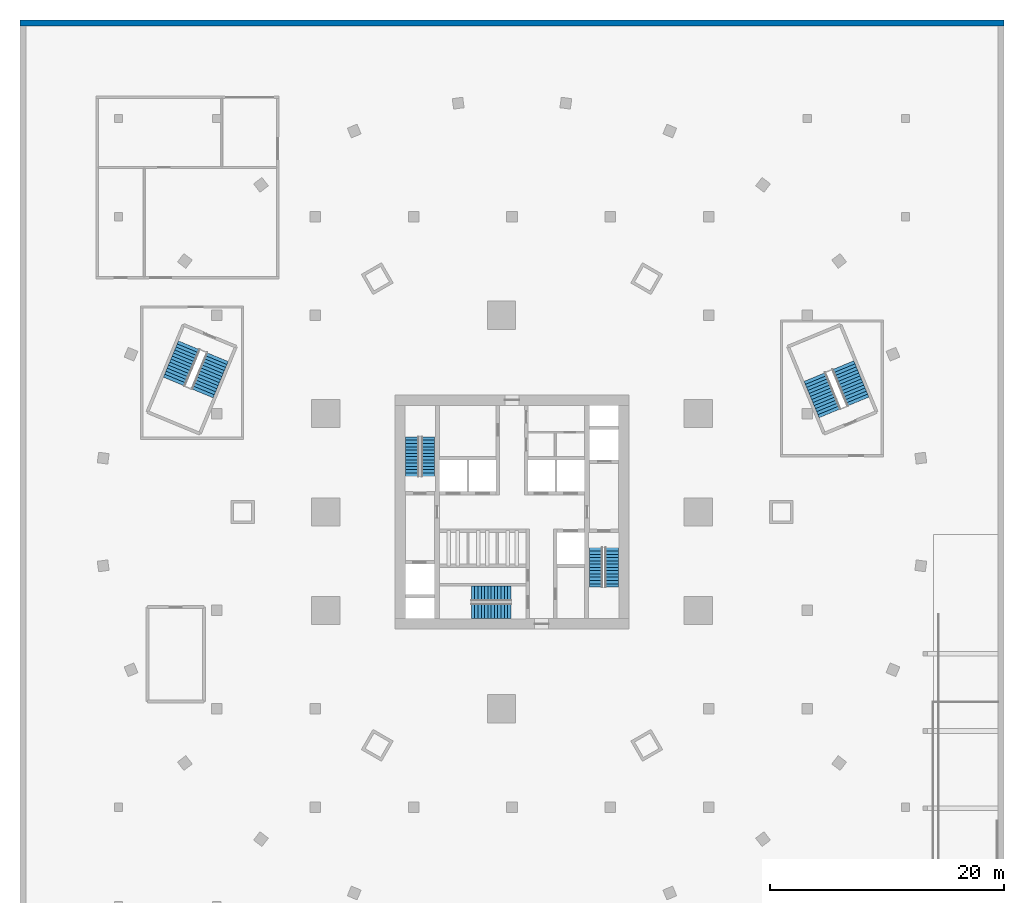
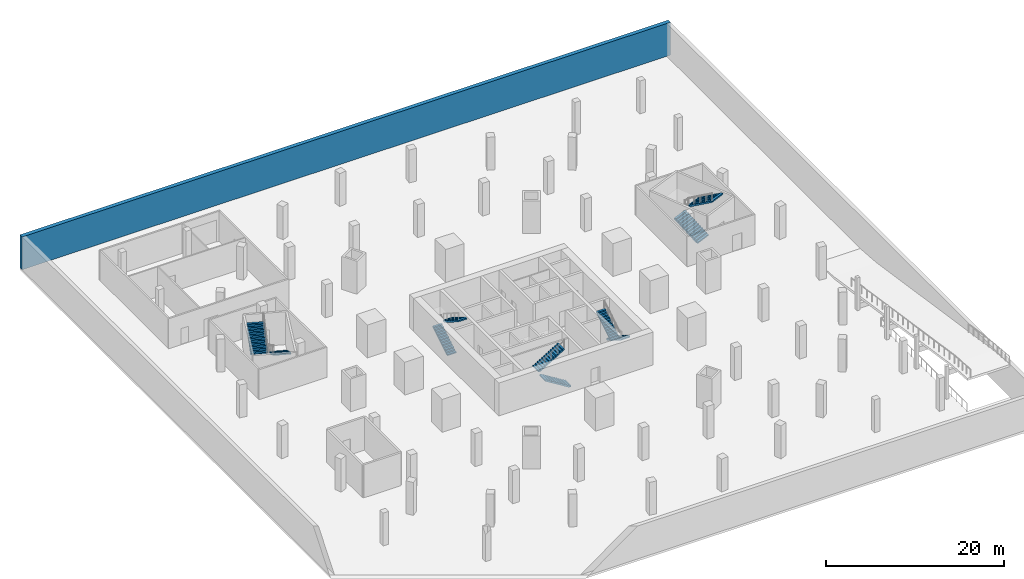
# One storey, part 7 of 9: 10 stair flights, 1 wall, 5 elements without a shape of their own.
"""IFC4 building model written with IfcOpenShell, lengths in metres."""

import ifcopenshell
import ifcopenshell.guid

model = None  # the IFC model being written
_history = None  # IfcOwnerHistory: only IFC2X3 demands one
_inside = {}  # id of a spatial element -> (the spatial element, [elements in it])
_under = {}  # id of a project, library or spatial element -> (it, [spatial elements below it])
_declared = {}  # id of a project -> (the project, [libraries it declares])
_typed = {}  # id of a type object -> (the type object, [elements of that type])
_made_of = {}  # id of a material, layer set ... -> (it, [elements and type objects made of it])


def new_model(schema):
    """Start an empty IFC model of exactly this schema.

    Asked for "IFC4X3", IfcOpenShell would pick the latest addendum, in which some entities
    have other attributes; the version numbers below select the first issue.
    IFC2X3 requires an IfcOwnerHistory on every rooted entity: one is made here for all.
    """
    global model, _history
    if schema == "IFC4X3":
        model = ifcopenshell.file(schema_version=(4, 3, 0, 0))
    else:
        model = ifcopenshell.file(schema=schema)
    _inside.clear()
    _under.clear()
    _declared.clear()
    _typed.clear()
    _made_of.clear()
    _history = None
    if model.schema == "IFC2X3":
        org = make("IfcOrganization", Name="unknown")
        user = make(
            "IfcPersonAndOrganization",
            ThePerson=make("IfcPerson", FamilyName="unknown"),
            TheOrganization=org,
        )
        app = make(
            "IfcApplication",
            ApplicationDeveloper=org,
            Version="unknown",
            ApplicationFullName="unknown",
            ApplicationIdentifier="unknown",
        )
        _history = make(
            "IfcOwnerHistory",
            OwningUser=user,
            OwningApplication=app,
            ChangeAction="ADDED",
            CreationDate=0,
        )
    return model


def make(cls, **values):
    """One entity of the class cls with the attributes given. An attribute that is None is left unset."""
    return model.create_entity(
        cls, **{name: value for name, value in values.items() if value is not None}
    )


def rooted(cls, **values):
    """An entity with a GlobalId (a new one), such as an element, a storey or a relation."""
    return make(cls, GlobalId=ifcopenshell.guid.new(), OwnerHistory=_history, **values)


def si_unit(unit_type, name, prefix=None):
    """IfcSIUnit, for example si_unit("LENGTHUNIT", "METRE", prefix="MILLI")."""
    return make("IfcSIUnit", UnitType=unit_type, Prefix=prefix, Name=name)


def assignment(units):
    """IfcUnitAssignment: the units of a project."""
    return None if units is None else make("IfcUnitAssignment", Units=units)


def point(xyz):
    """IfcCartesianPoint."""
    return None if xyz is None else make("IfcCartesianPoint", Coordinates=xyz)


def direction(xyz):
    """IfcDirection."""
    return None if xyz is None else make("IfcDirection", DirectionRatios=xyz)


def frame(location, z_axis=None, x_axis=None):
    """IfcAxis2Placement3D, a coordinate frame: its origin and axes. An axis left out is left unset."""
    return make(
        "IfcAxis2Placement3D",
        Location=point(location),
        Axis=direction(z_axis),
        RefDirection=direction(x_axis),
    )


def frame_2d(location, x_axis=None):
    """IfcAxis2Placement2D, a coordinate frame in the plane: its origin and x axis."""
    return make(
        "IfcAxis2Placement2D", Location=point(location), RefDirection=direction(x_axis)
    )


def origin():
    """The frame at (0, 0, 0) with its axes left unset."""
    return frame((0.0, 0.0, 0.0))


def place(relative_to, where):
    """IfcLocalPlacement: puts the frame where relative to a parent placement (None: the world)."""
    return make(
        "IfcLocalPlacement", PlacementRelTo=relative_to, RelativePlacement=where
    )


def context(
    kind, dimensions, precision=None, world=None, true_north=None, identifier=None
):
    """IfcGeometricRepresentationContext, for example the 3D "Model" context."""
    return make(
        "IfcGeometricRepresentationContext",
        ContextIdentifier=identifier,
        ContextType=kind,
        CoordinateSpaceDimension=dimensions,
        Precision=precision,
        WorldCoordinateSystem=world,
        TrueNorth=true_north,
    )


def subcontext(parent, identifier, kind, view, scale=None):
    """IfcGeometricRepresentationSubContext, for example "Body" below "Model"."""
    return make(
        "IfcGeometricRepresentationSubContext",
        ContextIdentifier=identifier,
        ContextType=kind,
        ParentContext=parent,
        TargetScale=scale,
        TargetView=view,
    )


def project(units=None, contexts=None):
    """IfcProject with its units and contexts."""
    return rooted(
        "IfcProject",
        Name="project",
        RepresentationContexts=contexts,
        UnitsInContext=assignment(units),
    )


def spatial(cls, under=None, at=None, **own):
    """A site, building, storey or space (cls), placed at a placement, below another one or the project."""
    s = rooted(cls, ObjectPlacement=at, **own)
    if under is not None:
        _under.setdefault(under.id(), (under, []))[1].append(s)
    return s


def polyline(points):
    """IfcPolyline through the points."""
    return make("IfcPolyline", Points=[point(p) for p in points])


def profile(cls, at=None, kind="AREA", **sizes):
    """A parametric profile (cls). Its sizes go by their IFC names, for example OverallWidth=200.0."""
    return make(cls, ProfileType=kind, Position=at, **sizes)


def rectangle(**sizes):
    """IfcRectangleProfileDef."""
    return profile("IfcRectangleProfileDef", **sizes)


def outline(outer, holes=None, kind="AREA"):
    """IfcArbitraryClosedProfileDef: a profile drawn as a closed curve; with holes, ...WithVoids."""
    if holes is None:
        return make("IfcArbitraryClosedProfileDef", ProfileType=kind, OuterCurve=outer)
    return make(
        "IfcArbitraryProfileDefWithVoids",
        ProfileType=kind,
        OuterCurve=outer,
        InnerCurves=holes,
    )


def extrude(swept, where, along, depth):
    """IfcExtrudedAreaSolid: the profile swept, set in the frame where, extruded along a direction by depth."""
    return make(
        "IfcExtrudedAreaSolid",
        SweptArea=swept,
        Position=where,
        ExtrudedDirection=direction(along),
        Depth=depth,
    )


def shape(context_of_items, identifier, shape_type, items):
    """IfcShapeRepresentation: the items that make up one representation, for example the "Body"."""
    return make(
        "IfcShapeRepresentation",
        ContextOfItems=context_of_items,
        RepresentationIdentifier=identifier,
        RepresentationType=shape_type,
        Items=items,
    )


def material(Name=None, Category=None):
    """IfcMaterial."""
    return make("IfcMaterial", Name=Name, Category=Category)


def layer(
    of_material, thickness, ventilated=None, Name=None, Category=None, Priority=None
):
    """IfcMaterialLayer: one layer of a wall or slab, of a material (None: an air gap)."""
    return make(
        "IfcMaterialLayer",
        Material=of_material,
        LayerThickness=thickness,
        IsVentilated=ventilated,
        Name=Name,
        Category=Category,
        Priority=Priority,
    )


def layer_set(layers, Name=None):
    """IfcMaterialLayerSet."""
    return make("IfcMaterialLayerSet", MaterialLayers=layers, LayerSetName=Name)


def made_of(thing, what):
    """Note that an element or type object is made of a material, layer set ...; save() writes the relation."""
    if what is not None:
        _made_of.setdefault(what.id(), (what, []))[1].append(thing)
    return thing


def type_object(cls, material=None, **own):
    """A type object (cls), such as IfcWallType, which elements share."""
    return made_of(rooted(cls, **own), material)


def element(
    cls,
    number,
    at=None,
    inside=None,
    cuts=None,
    type_object=None,
    material=None,
    context=None,
    identifier="Body",
    shape_type=None,
    held_by="IfcProductDefinitionShape",
    body=None,
    shapes=None,
    **own,
):
    """One element of the class cls, such as IfcWall. Its Tag is "e" and its number.

    at: its placement. inside: the storey or other place that contains it. cuts: it is an
    opening in that element (IfcRelVoidsElement). A single representation is given by context,
    identifier, shape_type and body (its items); several are given by shapes. held_by: the class
    of the entity that holds the representations. save() writes the other relations.
    """
    e = rooted(cls, Tag="e%d" % number, ObjectPlacement=at, **own)
    if body is not None:
        shapes = [shape(context, identifier, shape_type, body)]
    if shapes is not None:
        e.Representation = make(held_by, Representations=shapes)
    if inside is not None:
        _inside.setdefault(inside.id(), (inside, []))[1].append(e)
    if cuts is not None:
        rooted(
            "IfcRelVoidsElement", RelatingBuildingElement=cuts, RelatedOpeningElement=e
        )
    if type_object is not None:
        _typed.setdefault(type_object.id(), (type_object, []))[1].append(e)
    return made_of(e, material)


def aggregate(whole, parts):
    """IfcRelAggregates: a whole, such as a stair, and the parts it consists of."""
    return rooted("IfcRelAggregates", RelatingObject=whole, RelatedObjects=parts)


def save(model, path):
    """Write the relations noted so far, then the file.

    IfcRelAggregates (storeys below a building ...), IfcRelContainedInSpatialStructure (elements
    in a storey), IfcRelDefinesByType, IfcRelAssociatesMaterial and IfcRelDeclares: one each for
    every whole, place, type object, material and project.
    """
    for whole, parts in _under.values():
        aggregate(whole, parts)
    for where, things in _inside.values():
        rooted(
            "IfcRelContainedInSpatialStructure",
            RelatedElements=things,
            RelatingStructure=where,
        )
    for kind, things in _typed.values():
        rooted("IfcRelDefinesByType", RelatedObjects=things, RelatingType=kind)
    for what, things in _made_of.values():
        rooted("IfcRelAssociatesMaterial", RelatedObjects=things, RelatingMaterial=what)
    for by, libraries in _declared.values():
        rooted("IfcRelDeclares", RelatingContext=by, RelatedDefinitions=libraries)
    model.write(path)


model = new_model("IFC4")

# Units and contexts
model_context = context("Model", 3, precision=1e-05, world=origin(), true_north=direction((0.0, 1.0)))
body_context = subcontext(model_context, "Body", "Model", "MODEL_VIEW")
ifc_project = project(units=[si_unit("LENGTHUNIT", "METRE"), si_unit("AREAUNIT", "SQUARE_METRE"), si_unit("VOLUMEUNIT", "CUBIC_METRE"), si_unit("PLANEANGLEUNIT", "RADIAN"), si_unit("MASSUNIT", "GRAM", prefix="KILO")], contexts=[model_context])

# Site, building, storey
site_placement = place(None, origin())
site = spatial("IfcSite", under=ifc_project, at=site_placement, CompositionType="ELEMENT")
building_placement = place(site_placement, origin())
building = spatial("IfcBuilding", under=site, at=building_placement, Name="Golbaran Civic Tower", CompositionType="ELEMENT")
storey_placement = place(building_placement, frame((0.0, 0.0, -4.5)))
storey = spatial("IfcBuildingStorey", under=building, at=storey_placement, Name="B1", CompositionType="ELEMENT", Elevation=-4.5)

# Wall
ifc_material_1 = material(Name="Concrete C50/60", Category="concrete")
ifc_layer = layer(ifc_material_1, 0.5, Name="Concrete C50/60")
ifc_layer_set = layer_set([ifc_layer], Name="Concrete C50/60")
wall_type = type_object("IfcWallType", Name="BASEMENT RETAINING WALL CONCRETE 500", PredefinedType="SOLIDWALL", material=ifc_layer_set)
wall_placement = place(storey_placement, frame((-42.0, 41.75, 0.0), z_axis=(0.0, 0.0, 1.0), x_axis=(1.0, 0.0, 0.0)))
element("IfcWall", 1, at=wall_placement, inside=storey, type_object=wall_type, Name="Basement retaining wall N B1", PredefinedType="SOLIDWALL", context=body_context, shape_type="SweptSolid", body=[
    extrude(rectangle(XDim=84.0, YDim=0.5, at=frame_2d((42.0, 0.0))), origin(), (0.0, 0.0, 1.0), 4.5),
])

# Stair, stair flights
ifc_material_2 = material(Name="Concrete C35/45", Category="concrete")
stair_type_1 = type_object("IfcStairType", Name="EXIT STAIR 2500 x 7350, 4500 RISE", PredefinedType="HALF_TURN_STAIR", material=ifc_material_2)
stair_1_placement = place(storey_placement, origin())
stair_1 = element("IfcStair", 2, at=stair_1_placement, inside=storey, type_object=stair_type_1, Name="Stair S1 B1", PredefinedType="HALF_TURN_STAIR")
stair_flight_type_1 = type_object("IfcStairFlightType", Name="STAIR FLIGHT 1150 WIDE", PredefinedType="STRAIGHT", material=ifc_material_2)
stair_flight_1_placement = place(storey_placement, frame((-8.52490234375, 3.050048828125, 0.0), z_axis=(0.0, 0.0, 1.0), x_axis=(0.0, 1.0, 0.0)))
stair_flight_1 = element("IfcStairFlight", 3, at=stair_flight_1_placement, type_object=stair_flight_type_1, Name="ST25074-45 flight 1", NumberOfRisers=13, NumberOfTreads=12, PredefinedType="STRAIGHT", RiserHeight=0.173076923, TreadLength=0.28, context=body_context, shape_type="SweptSolid", body=[
    extrude(outline(polyline([(0.0, 0.0), (0.0, 0.173095703125), (0.280029296875, 0.173095703125), (0.280029296875, 0.34619140625), (0.56005859375, 0.34619140625), (0.56005859375, 0.519287109375), (0.840087890625, 0.519287109375), (0.840087890625, 0.6923828125), (1.1201171875, 0.6923828125), (1.1201171875, 0.865478515625), (1.39990234375, 0.865478515625), (1.39990234375, 1.03857421875), (1.679931640625, 1.03857421875), (1.679931640625, 1.21142578125), (1.9599609375, 1.21142578125), (1.9599609375, 1.384521484375), (2.239990234375, 1.384521484375), (2.239990234375, 1.5576171875), (2.52001953125, 1.5576171875), (2.52001953125, 1.730712890625), (2.800048828125, 1.730712890625), (2.800048828125, 1.90380859375), (3.080078125, 1.90380859375), (3.080078125, 2.076904296875), (3.360107421875, 2.076904296875), (3.360107421875, 2.25), (3.360107421875, 1.900634765625), (0.28515625, 0.0), (0.0, 0.0)])), frame((0.0, 0.574951171875, 0.0), z_axis=(0.0, -1.0, 0.0), x_axis=(1.0, 0.0, 0.0)), (0.0, 0.0, 1.0), 1.14990234375),
])
stair_flight_2_placement = place(storey_placement, frame((-7.175048828125, 6.409912109375, 2.25), z_axis=(0.0, 0.0, 1.0), x_axis=(0.0, -1.0, 0.0)))
stair_flight_2 = element("IfcStairFlight", 4, at=stair_flight_2_placement, type_object=stair_flight_type_1, Name="ST25074-45 flight 2", NumberOfRisers=13, NumberOfTreads=12, PredefinedType="STRAIGHT", RiserHeight=0.173076923, TreadLength=0.28, context=body_context, shape_type="SweptSolid", body=[
    extrude(outline(polyline([(0.0, 0.0), (0.0, 0.173095703125), (0.280029296875, 0.173095703125), (0.280029296875, 0.34619140625), (0.56005859375, 0.34619140625), (0.56005859375, 0.519287109375), (0.840087890625, 0.519287109375), (0.840087890625, 0.6923828125), (1.1201171875, 0.6923828125), (1.1201171875, 0.865478515625), (1.39990234375, 0.865478515625), (1.39990234375, 1.03857421875), (1.679931640625, 1.03857421875), (1.679931640625, 1.21142578125), (1.9599609375, 1.21142578125), (1.9599609375, 1.384521484375), (2.239990234375, 1.384521484375), (2.239990234375, 1.5576171875), (2.52001953125, 1.5576171875), (2.52001953125, 1.730712890625), (2.800048828125, 1.730712890625), (2.800048828125, 1.90380859375), (3.080078125, 1.90380859375), (3.080078125, 2.076904296875), (3.360107421875, 2.076904296875), (3.360107421875, 2.25), (3.360107421875, 1.900634765625), (0.28515625, 0.0), (0.0, 0.0)])), frame((0.0, 0.574951171875, 0.0), z_axis=(0.0, -1.0, 0.0), x_axis=(1.0, 0.0, 0.0)), (0.0, 0.0, 1.0), 1.14990234375),
])
aggregate(stair_1, [stair_flight_1, stair_flight_2])

stair_2_placement = place(storey_placement, origin())
stair_2 = element("IfcStair", 5, at=stair_2_placement, inside=storey, type_object=stair_type_1, Name="Stair S2 B1", PredefinedType="HALF_TURN_STAIR")
stair_flight_3_placement = place(storey_placement, frame((8.52490234375, -3.050048828125, 0.0), z_axis=(0.0, 0.0, 1.0), x_axis=(0.0, -1.0, 0.0)))
stair_flight_3 = element("IfcStairFlight", 6, at=stair_flight_3_placement, type_object=stair_flight_type_1, Name="ST25074-45 flight 1", NumberOfRisers=13, NumberOfTreads=12, PredefinedType="STRAIGHT", RiserHeight=0.173076923, TreadLength=0.28, context=body_context, shape_type="SweptSolid", body=[
    extrude(outline(polyline([(0.0, 0.0), (0.0, 0.173095703125), (0.280029296875, 0.173095703125), (0.280029296875, 0.34619140625), (0.56005859375, 0.34619140625), (0.56005859375, 0.519287109375), (0.840087890625, 0.519287109375), (0.840087890625, 0.6923828125), (1.1201171875, 0.6923828125), (1.1201171875, 0.865478515625), (1.39990234375, 0.865478515625), (1.39990234375, 1.03857421875), (1.679931640625, 1.03857421875), (1.679931640625, 1.21142578125), (1.9599609375, 1.21142578125), (1.9599609375, 1.384521484375), (2.239990234375, 1.384521484375), (2.239990234375, 1.5576171875), (2.52001953125, 1.5576171875), (2.52001953125, 1.730712890625), (2.800048828125, 1.730712890625), (2.800048828125, 1.90380859375), (3.080078125, 1.90380859375), (3.080078125, 2.076904296875), (3.360107421875, 2.076904296875), (3.360107421875, 2.25), (3.360107421875, 1.900634765625), (0.28515625, 0.0), (0.0, 0.0)])), frame((0.0, 0.574951171875, 0.0), z_axis=(0.0, -1.0, 0.0), x_axis=(1.0, 0.0, 0.0)), (0.0, 0.0, 1.0), 1.14990234375),
])
stair_flight_4_placement = place(storey_placement, frame((7.175048828125, -6.409912109375, 2.25), z_axis=(0.0, 0.0, 1.0), x_axis=(0.0, 1.0, 0.0)))
stair_flight_4 = element("IfcStairFlight", 7, at=stair_flight_4_placement, type_object=stair_flight_type_1, Name="ST25074-45 flight 2", NumberOfRisers=13, NumberOfTreads=12, PredefinedType="STRAIGHT", RiserHeight=0.173076923, TreadLength=0.28, context=body_context, shape_type="SweptSolid", body=[
    extrude(outline(polyline([(0.0, 0.0), (0.0, 0.173095703125), (0.280029296875, 0.173095703125), (0.280029296875, 0.34619140625), (0.56005859375, 0.34619140625), (0.56005859375, 0.519287109375), (0.840087890625, 0.519287109375), (0.840087890625, 0.6923828125), (1.1201171875, 0.6923828125), (1.1201171875, 0.865478515625), (1.39990234375, 0.865478515625), (1.39990234375, 1.03857421875), (1.679931640625, 1.03857421875), (1.679931640625, 1.21142578125), (1.9599609375, 1.21142578125), (1.9599609375, 1.384521484375), (2.239990234375, 1.384521484375), (2.239990234375, 1.5576171875), (2.52001953125, 1.5576171875), (2.52001953125, 1.730712890625), (2.800048828125, 1.730712890625), (2.800048828125, 1.90380859375), (3.080078125, 1.90380859375), (3.080078125, 2.076904296875), (3.360107421875, 2.076904296875), (3.360107421875, 2.25), (3.360107421875, 1.900634765625), (0.28515625, 0.0), (0.0, 0.0)])), frame((0.0, 0.574951171875, 0.0), z_axis=(0.0, -1.0, 0.0), x_axis=(1.0, 0.0, 0.0)), (0.0, 0.0, 1.0), 1.14990234375),
])
aggregate(stair_2, [stair_flight_3, stair_flight_4])

stair_type_2 = type_object("IfcStairType", Name="EXIT STAIR 2800 x 7400, 4500 RISE", PredefinedType="HALF_TURN_STAIR", material=ifc_material_2)
stair_3_placement = place(storey_placement, origin())
stair_3 = element("IfcStair", 8, at=stair_3_placement, inside=storey, type_object=stair_type_2, Name="Stair S3 B1", PredefinedType="HALF_TURN_STAIR")
stair_flight_type_2 = type_object("IfcStairFlightType", Name="STAIR FLIGHT 1300 WIDE", PredefinedType="STRAIGHT", material=ifc_material_2)
stair_flight_5_placement = place(storey_placement, frame((-0.10009765625, -8.449951171875, 0.0), z_axis=(0.0, 0.0, 1.0), x_axis=(-1.0, 0.0, 0.0)))
stair_flight_5 = element("IfcStairFlight", 9, at=stair_flight_5_placement, type_object=stair_flight_type_2, Name="ST28074-45 flight 1", NumberOfRisers=13, NumberOfTreads=12, PredefinedType="STRAIGHT", RiserHeight=0.173076923, TreadLength=0.28, context=body_context, shape_type="SweptSolid", body=[
    extrude(outline(polyline([(0.0, 0.0), (0.0, 0.173095703125), (0.280029296875, 0.173095703125), (0.280029296875, 0.34619140625), (0.56005859375, 0.34619140625), (0.56005859375, 0.519287109375), (0.840087890625, 0.519287109375), (0.840087890625, 0.6923828125), (1.1201171875, 0.6923828125), (1.1201171875, 0.865478515625), (1.39990234375, 0.865478515625), (1.39990234375, 1.03857421875), (1.679931640625, 1.03857421875), (1.679931640625, 1.21142578125), (1.9599609375, 1.21142578125), (1.9599609375, 1.384521484375), (2.239990234375, 1.384521484375), (2.239990234375, 1.5576171875), (2.52001953125, 1.5576171875), (2.52001953125, 1.730712890625), (2.800048828125, 1.730712890625), (2.800048828125, 1.90380859375), (3.080078125, 1.90380859375), (3.080078125, 2.076904296875), (3.360107421875, 2.076904296875), (3.360107421875, 2.25), (3.360107421875, 1.900634765625), (0.28515625, 0.0), (0.0, 0.0)])), frame((0.0, 0.64990234375, 0.0), z_axis=(0.0, -1.0, 0.0), x_axis=(1.0, 0.0, 0.0)), (0.0, 0.0, 1.0), 1.300048828125),
])
stair_flight_6_placement = place(storey_placement, frame((-3.4599609375, -6.949951171875, 2.25), z_axis=(0.0, 0.0, 1.0), x_axis=(1.0, 0.0, 0.0)))
stair_flight_6 = element("IfcStairFlight", 10, at=stair_flight_6_placement, type_object=stair_flight_type_2, Name="ST28074-45 flight 2", NumberOfRisers=13, NumberOfTreads=12, PredefinedType="STRAIGHT", RiserHeight=0.173076923, TreadLength=0.28, context=body_context, shape_type="SweptSolid", body=[
    extrude(outline(polyline([(0.0, 0.0), (0.0, 0.173095703125), (0.280029296875, 0.173095703125), (0.280029296875, 0.34619140625), (0.56005859375, 0.34619140625), (0.56005859375, 0.519287109375), (0.840087890625, 0.519287109375), (0.840087890625, 0.6923828125), (1.1201171875, 0.6923828125), (1.1201171875, 0.865478515625), (1.39990234375, 0.865478515625), (1.39990234375, 1.03857421875), (1.679931640625, 1.03857421875), (1.679931640625, 1.21142578125), (1.9599609375, 1.21142578125), (1.9599609375, 1.384521484375), (2.239990234375, 1.384521484375), (2.239990234375, 1.5576171875), (2.52001953125, 1.5576171875), (2.52001953125, 1.730712890625), (2.800048828125, 1.730712890625), (2.800048828125, 1.90380859375), (3.080078125, 1.90380859375), (3.080078125, 2.076904296875), (3.360107421875, 2.076904296875), (3.360107421875, 2.25), (3.360107421875, 1.900634765625), (0.28515625, 0.0), (0.0, 0.0)])), frame((0.0, 0.64990234375, 0.0), z_axis=(0.0, -1.0, 0.0), x_axis=(1.0, 0.0, 0.0)), (0.0, 0.0, 1.0), 1.300048828125),
])
aggregate(stair_3, [stair_flight_5, stair_flight_6])

stair_type_3 = type_object("IfcStairType", Name="EXIT STAIR 4600 x 7800, 4500 RISE", PredefinedType="HALF_TURN_STAIR", material=ifc_material_2)
stair_4_placement = place(storey_placement, origin())
stair_4 = element("IfcStair", 11, at=stair_4_placement, inside=storey, type_object=stair_type_3, Name="Stair P1 B1", PredefinedType="HALF_TURN_STAIR")
stair_flight_type_3 = type_object("IfcStairFlightType", Name="STAIR FLIGHT 2000 WIDE", PredefinedType="STRAIGHT", material=ifc_material_2)
stair_flight_7_placement = place(storey_placement, frame((27.140869140625, 8.427734375, 0.0), z_axis=(0.0, 0.0, 1.0), x_axis=(-0.382683432365, 0.923879532511, 0.0)))
stair_flight_7 = element("IfcStairFlight", 12, at=stair_flight_7_placement, type_object=stair_flight_type_3, Name="ST46078-45 flight 1", NumberOfRisers=13, NumberOfTreads=12, PredefinedType="STRAIGHT", RiserHeight=0.173076923, TreadLength=0.28, context=body_context, shape_type="SweptSolid", body=[
    extrude(outline(polyline([(0.0, 0.0), (0.0, 0.173095703125), (0.280029296875, 0.173095703125), (0.280029296875, 0.34619140625), (0.56005859375, 0.34619140625), (0.56005859375, 0.519287109375), (0.840087890625, 0.519287109375), (0.840087890625, 0.6923828125), (1.1201171875, 0.6923828125), (1.1201171875, 0.865478515625), (1.39990234375, 0.865478515625), (1.39990234375, 1.03857421875), (1.679931640625, 1.03857421875), (1.679931640625, 1.21142578125), (1.9599609375, 1.21142578125), (1.9599609375, 1.384521484375), (2.239990234375, 1.384521484375), (2.239990234375, 1.5576171875), (2.52001953125, 1.5576171875), (2.52001953125, 1.730712890625), (2.800048828125, 1.730712890625), (2.800048828125, 1.90380859375), (3.080078125, 1.90380859375), (3.080078125, 2.076904296875), (3.360107421875, 2.076904296875), (3.360107421875, 2.25), (3.360107421875, 1.900634765625), (0.28515625, 0.0), (0.0, 0.0)])), frame((0.0, 1.0, 0.0), z_axis=(0.0, -1.0, 0.0), x_axis=(1.0, 0.0, 0.0)), (0.0, 0.0, 1.0), 2.0),
])
stair_flight_8_placement = place(storey_placement, frame((28.257080078125, 12.527099609375, 2.25), z_axis=(0.0, 0.0, 1.0), x_axis=(0.382683432365, -0.923879532511, 0.0)))
stair_flight_8 = element("IfcStairFlight", 13, at=stair_flight_8_placement, type_object=stair_flight_type_3, Name="ST46078-45 flight 2", NumberOfRisers=13, NumberOfTreads=12, PredefinedType="STRAIGHT", RiserHeight=0.173076923, TreadLength=0.28, context=body_context, shape_type="SweptSolid", body=[
    extrude(outline(polyline([(0.0, 0.0), (0.0, 0.173095703125), (0.280029296875, 0.173095703125), (0.280029296875, 0.34619140625), (0.56005859375, 0.34619140625), (0.56005859375, 0.519287109375), (0.840087890625, 0.519287109375), (0.840087890625, 0.6923828125), (1.1201171875, 0.6923828125), (1.1201171875, 0.865478515625), (1.39990234375, 0.865478515625), (1.39990234375, 1.03857421875), (1.679931640625, 1.03857421875), (1.679931640625, 1.21142578125), (1.9599609375, 1.21142578125), (1.9599609375, 1.384521484375), (2.239990234375, 1.384521484375), (2.239990234375, 1.5576171875), (2.52001953125, 1.5576171875), (2.52001953125, 1.730712890625), (2.800048828125, 1.730712890625), (2.800048828125, 1.90380859375), (3.080078125, 1.90380859375), (3.080078125, 2.076904296875), (3.360107421875, 2.076904296875), (3.360107421875, 2.25), (3.360107421875, 1.900634765625), (0.28515625, 0.0), (0.0, 0.0)])), frame((0.0, 1.0, 0.0), z_axis=(0.0, -1.0, 0.0), x_axis=(1.0, 0.0, 0.0)), (0.0, 0.0, 1.0), 2.0),
])
aggregate(stair_4, [stair_flight_7, stair_flight_8])

stair_5_placement = place(storey_placement, origin())
stair_5 = element("IfcStair", 14, at=stair_5_placement, inside=storey, type_object=stair_type_3, Name="Stair P2 B1", PredefinedType="HALF_TURN_STAIR")
stair_flight_9_placement = place(storey_placement, frame((-25.15087890625, 13.23193359375, 0.0), z_axis=(0.0, 0.0, 1.0), x_axis=(-0.382683432365, -0.923879532511, 0.0)))
stair_flight_9 = element("IfcStairFlight", 15, at=stair_flight_9_placement, type_object=stair_flight_type_3, Name="ST46078-45 flight 1", NumberOfRisers=13, NumberOfTreads=12, PredefinedType="STRAIGHT", RiserHeight=0.173076923, TreadLength=0.28, context=body_context, shape_type="SweptSolid", body=[
    extrude(outline(polyline([(0.0, 0.0), (0.0, 0.173095703125), (0.280029296875, 0.173095703125), (0.280029296875, 0.34619140625), (0.56005859375, 0.34619140625), (0.56005859375, 0.519287109375), (0.840087890625, 0.519287109375), (0.840087890625, 0.6923828125), (1.1201171875, 0.6923828125), (1.1201171875, 0.865478515625), (1.39990234375, 0.865478515625), (1.39990234375, 1.03857421875), (1.679931640625, 1.03857421875), (1.679931640625, 1.21142578125), (1.9599609375, 1.21142578125), (1.9599609375, 1.384521484375), (2.239990234375, 1.384521484375), (2.239990234375, 1.5576171875), (2.52001953125, 1.5576171875), (2.52001953125, 1.730712890625), (2.800048828125, 1.730712890625), (2.800048828125, 1.90380859375), (3.080078125, 1.90380859375), (3.080078125, 2.076904296875), (3.360107421875, 2.076904296875), (3.360107421875, 2.25), (3.360107421875, 1.900634765625), (0.28515625, 0.0), (0.0, 0.0)])), frame((0.0, 1.0, 0.0), z_axis=(0.0, -1.0, 0.0), x_axis=(1.0, 0.0, 0.0)), (0.0, 0.0, 1.0), 2.0),
])
stair_flight_10_placement = place(storey_placement, frame((-28.838623046875, 11.122802734375, 2.25), z_axis=(0.0, 0.0, 1.0), x_axis=(0.382683432365, 0.923879532511, 0.0)))
stair_flight_10 = element("IfcStairFlight", 16, at=stair_flight_10_placement, type_object=stair_flight_type_3, Name="ST46078-45 flight 2", NumberOfRisers=13, NumberOfTreads=12, PredefinedType="STRAIGHT", RiserHeight=0.173076923, TreadLength=0.28, context=body_context, shape_type="SweptSolid", body=[
    extrude(outline(polyline([(0.0, 0.0), (0.0, 0.173095703125), (0.280029296875, 0.173095703125), (0.280029296875, 0.34619140625), (0.56005859375, 0.34619140625), (0.56005859375, 0.519287109375), (0.840087890625, 0.519287109375), (0.840087890625, 0.6923828125), (1.1201171875, 0.6923828125), (1.1201171875, 0.865478515625), (1.39990234375, 0.865478515625), (1.39990234375, 1.03857421875), (1.679931640625, 1.03857421875), (1.679931640625, 1.21142578125), (1.9599609375, 1.21142578125), (1.9599609375, 1.384521484375), (2.239990234375, 1.384521484375), (2.239990234375, 1.5576171875), (2.52001953125, 1.5576171875), (2.52001953125, 1.730712890625), (2.800048828125, 1.730712890625), (2.800048828125, 1.90380859375), (3.080078125, 1.90380859375), (3.080078125, 2.076904296875), (3.360107421875, 2.076904296875), (3.360107421875, 2.25), (3.360107421875, 1.900634765625), (0.28515625, 0.0), (0.0, 0.0)])), frame((0.0, 1.0, 0.0), z_axis=(0.0, -1.0, 0.0), x_axis=(1.0, 0.0, 0.0)), (0.0, 0.0, 1.0), 2.0),
])
aggregate(stair_5, [stair_flight_9, stair_flight_10])

save(model, "model.ifc")
